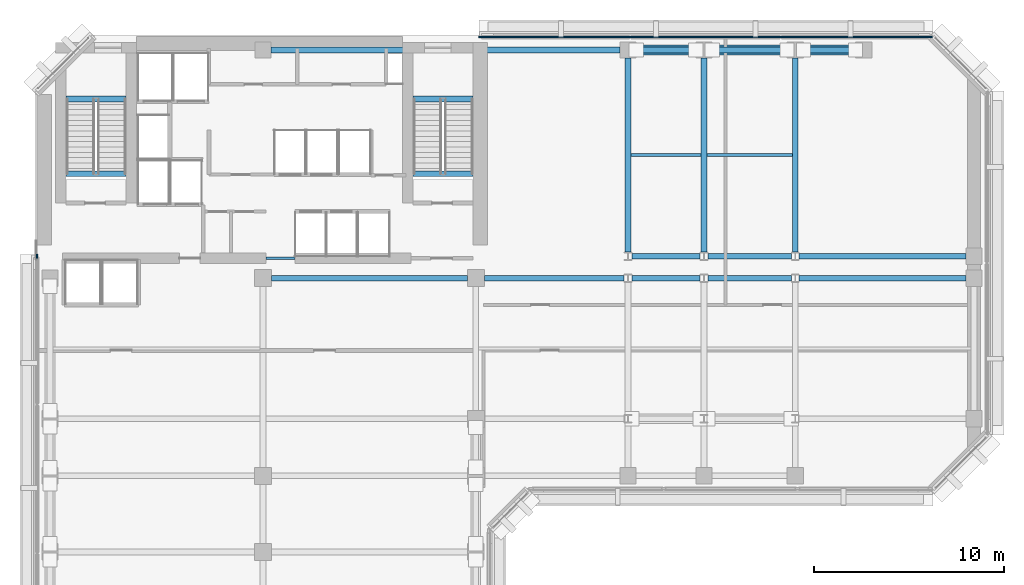
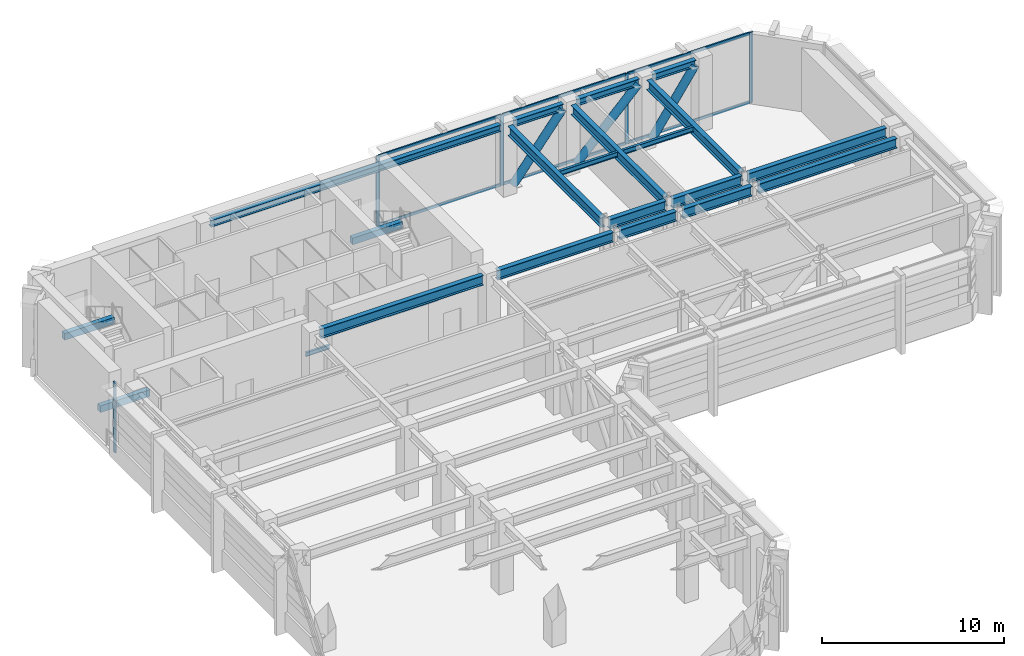
# One storey, part 4 of 12: 22 beams, 14 members, 2 elements without a shape of their own.
"""IFC4 building model written with IfcOpenShell, lengths in metres."""

from ifc_helpers import new_model, si_unit, direction, frame, origin, origin_2d, place, context, subcontext, project, spatial, rectangle, hollow_circle, i_section, extrude, material, layer, layer_set, material_profile, profile_set, type_object, element, aggregate, save


model = new_model("IFC4")

# Units and contexts
model_context = context("Model", 3, precision=1e-05, world=origin(), true_north=direction((0.0, 1.0)))
body_context = subcontext(model_context, "Body", "Model", "MODEL_VIEW")
ifc_project = project(units=[si_unit("LENGTHUNIT", "METRE"), si_unit("AREAUNIT", "SQUARE_METRE"), si_unit("VOLUMEUNIT", "CUBIC_METRE"), si_unit("PLANEANGLEUNIT", "RADIAN"), si_unit("MASSUNIT", "GRAM", prefix="KILO")], contexts=[model_context])

# Site, building, storey
site_placement = place(None, origin())
site = spatial("IfcSite", under=ifc_project, at=site_placement, CompositionType="ELEMENT")
building_placement = place(site_placement, origin())
building = spatial("IfcBuilding", under=site, at=building_placement, Name="Kefirva Bronze Tower", CompositionType="ELEMENT")
storey_placement = place(building_placement, frame((0.0, 0.0, 174.570068359375)))
storey = spatial("IfcBuildingStorey", under=building, at=storey_placement, Name="L42", CompositionType="ELEMENT", Elevation=174.570068359375)

# Curtain wall, members
ifc_material_1 = material(Name="Bronze anodised aluminium", Category="aluminium")
ifc_layer = layer(ifc_material_1, 0.219970703125, Name="Bronze anodised aluminium")
ifc_layer_set = layer_set([ifc_layer], Name="Bronze anodised aluminium")
curtain_wall_type = type_object("IfcCurtainWallType", Name="Refuge Acoustic Louvre Curtain Screen", PredefinedType="USERDEFINED", material=ifc_layer_set)
curtain_wall_1_placement = place(storey_placement, origin())
curtain_wall_1 = element("IfcCurtainWall", 1, at=curtain_wall_1_placement, inside=storey, type_object=curtain_wall_type, Name="L42 Curtain Wall 5", ObjectType="LOUVRE SCREEN WALL", PredefinedType="USERDEFINED")
ifc_material_profile_1 = material_profile(ifc_material_1, rectangle(XDim=0.090087890625, YDim=0.219970703125, at=origin_2d()), Name="ALU 90x220")
ifc_profile_set_1 = profile_set([ifc_material_profile_1], Name="Bronze anodised aluminium")
member_type_1 = type_object("IfcMemberType", Name="Bronze Mullion 90x220", PredefinedType="MULLION", material=ifc_profile_set_1)
member_1_placement = place(storey_placement, frame((47.10009765625, 45.8798828125, 0.0), z_axis=(0.0, 0.0, 1.0), x_axis=(0.0, -1.0, 0.0)))
member_1 = element("IfcMember", 2, at=member_1_placement, type_object=member_type_1, Name="CW-06 mullion 1", PredefinedType="MULLION", context=body_context, shape_type="SweptSolid", body=[
    extrude(rectangle(XDim=0.090087890625, YDim=0.219970703125, at=origin_2d()), origin(), (0.0, 0.0, 1.0), 4.699951171875),
])
member_2_placement = place(storey_placement, frame((39.231689453125, 45.8798828125, 0.0), z_axis=(0.0, 0.0, 1.0), x_axis=(0.0, -1.0, 0.0)))
member_2 = element("IfcMember", 3, at=member_2_placement, type_object=member_type_1, Name="CW-06 mullion 2", PredefinedType="MULLION", context=body_context, shape_type="SweptSolid", body=[
    extrude(rectangle(XDim=0.090087890625, YDim=0.219970703125, at=origin_2d()), origin(), (0.0, 0.0, 1.0), 4.699951171875),
])
member_3_placement = place(storey_placement, frame((31.318359375, 45.8798828125, 0.0), z_axis=(0.0, 0.0, 1.0), x_axis=(0.0, -1.0, 0.0)))
member_3 = element("IfcMember", 4, at=member_3_placement, type_object=member_type_1, Name="CW-06 mullion 3", PredefinedType="MULLION", context=body_context, shape_type="SweptSolid", body=[
    extrude(rectangle(XDim=0.090087890625, YDim=0.219970703125, at=origin_2d()), origin(), (0.0, 0.0, 1.0), 4.699951171875),
])
member_4_placement = place(storey_placement, frame((23.449951171875, 45.8798828125, 0.0), z_axis=(0.0, 0.0, 1.0), x_axis=(0.0, -1.0, 0.0)))
member_4 = element("IfcMember", 5, at=member_4_placement, type_object=member_type_1, Name="CW-06 mullion 4", PredefinedType="MULLION", context=body_context, shape_type="SweptSolid", body=[
    extrude(rectangle(XDim=0.090087890625, YDim=0.219970703125, at=origin_2d()), origin(), (0.0, 0.0, 1.0), 4.699951171875),
])

# Curtain wall, member
curtain_wall_2_placement = place(storey_placement, origin())
curtain_wall_2 = element("IfcCurtainWall", 6, at=curtain_wall_2_placement, inside=storey, type_object=curtain_wall_type, Name="L42 Curtain Wall 6", ObjectType="LOUVRE SCREEN WALL", PredefinedType="USERDEFINED")
member_5_placement = place(storey_placement, frame((0.1201171875, 34.35009765625, 0.0), z_axis=(0.0, 0.0, 1.0), x_axis=(1.0, 0.0, 0.0)))
member_5 = element("IfcMember", 7, at=member_5_placement, type_object=member_type_1, Name="CW-06 mullion 1", PredefinedType="MULLION", context=body_context, shape_type="SweptSolid", body=[
    extrude(rectangle(XDim=0.090087890625, YDim=0.219970703125, at=origin_2d()), origin(), (0.0, 0.0, 1.0), 4.699951171875),
])
aggregate(curtain_wall_2, [member_5])

# Member
ifc_material_profile_2 = material_profile(ifc_material_1, rectangle(XDim=0.090087890625, YDim=0.179931640625, at=origin_2d()), Name="ALU 90x180")
ifc_profile_set_2 = profile_set([ifc_material_profile_2], Name="Bronze anodised aluminium")
member_type_2 = type_object("IfcMemberType", Name="Bronze Transom 90x180", PredefinedType="USERDEFINED", material=ifc_profile_set_2)
member_6_placement = place(storey_placement, frame((47.054931640625, 45.8798828125, 0.044921875), z_axis=(-1.0, 0.0, 0.0), x_axis=(0.0, -1.0, 0.0)))
member_6 = element("IfcMember", 8, at=member_6_placement, type_object=member_type_2, Name="CW-06 transom 1.1", ObjectType="TRANSOM", PredefinedType="USERDEFINED", context=body_context, shape_type="SweptSolid", body=[
    extrude(rectangle(XDim=0.090087890625, YDim=0.179931640625, at=origin_2d()), origin(), (0.0, 0.0, 1.0), 7.7783203125),
])

member_7_placement = place(storey_placement, frame((47.054931640625, 45.8798828125, 4.655029296875), z_axis=(-1.0, 0.0, 0.0), x_axis=(0.0, -1.0, 0.0)))
member_7 = element("IfcMember", 9, at=member_7_placement, type_object=member_type_2, Name="CW-06 transom 1.2", ObjectType="TRANSOM", PredefinedType="USERDEFINED", context=body_context, shape_type="SweptSolid", body=[
    extrude(rectangle(XDim=0.090087890625, YDim=0.179931640625, at=origin_2d()), origin(), (0.0, 0.0, 1.0), 7.7783203125),
])

member_8_placement = place(storey_placement, frame((39.186767578125, 45.8798828125, 0.044921875), z_axis=(-1.0, 0.0, 0.0), x_axis=(0.0, -1.0, 0.0)))
member_8 = element("IfcMember", 10, at=member_8_placement, type_object=member_type_2, Name="CW-06 transom 2.1", ObjectType="TRANSOM", PredefinedType="USERDEFINED", context=body_context, shape_type="SweptSolid", body=[
    extrude(rectangle(XDim=0.090087890625, YDim=0.179931640625, at=origin_2d()), origin(), (0.0, 0.0, 1.0), 7.823486328125),
])

member_9_placement = place(storey_placement, frame((39.186767578125, 45.8798828125, 4.655029296875), z_axis=(-1.0, 0.0, 0.0), x_axis=(0.0, -1.0, 0.0)))
member_9 = element("IfcMember", 11, at=member_9_placement, type_object=member_type_2, Name="CW-06 transom 2.2", ObjectType="TRANSOM", PredefinedType="USERDEFINED", context=body_context, shape_type="SweptSolid", body=[
    extrude(rectangle(XDim=0.090087890625, YDim=0.179931640625, at=origin_2d()), origin(), (0.0, 0.0, 1.0), 7.823486328125),
])

member_10_placement = place(storey_placement, frame((31.2734375, 45.8798828125, 0.044921875), z_axis=(-1.0, 0.0, 0.0), x_axis=(0.0, -1.0, 0.0)))
member_10 = element("IfcMember", 12, at=member_10_placement, type_object=member_type_2, Name="CW-06 transom 3.1", ObjectType="TRANSOM", PredefinedType="USERDEFINED", context=body_context, shape_type="SweptSolid", body=[
    extrude(rectangle(XDim=0.090087890625, YDim=0.179931640625, at=origin_2d()), origin(), (0.0, 0.0, 1.0), 7.7783203125),
])

member_11_placement = place(storey_placement, frame((31.2734375, 45.8798828125, 4.655029296875), z_axis=(-1.0, 0.0, 0.0), x_axis=(0.0, -1.0, 0.0)))
member_11 = element("IfcMember", 13, at=member_11_placement, type_object=member_type_2, Name="CW-06 transom 3.2", ObjectType="TRANSOM", PredefinedType="USERDEFINED", context=body_context, shape_type="SweptSolid", body=[
    extrude(rectangle(XDim=0.090087890625, YDim=0.179931640625, at=origin_2d()), origin(), (0.0, 0.0, 1.0), 7.7783203125),
])

aggregate(curtain_wall_1, [member_1, member_2, member_3, member_4, member_6, member_7, member_8, member_9, member_10, member_11])

# Beams
ifc_material_2 = material(Name="Concrete C50/60", Category="concrete")
ifc_material_profile_3 = material_profile(ifc_material_2, rectangle(XDim=0.300048828125, YDim=0.449951171875, at=origin_2d()), Name="RC 300x450")
ifc_profile_set_3 = profile_set([ifc_material_profile_3], Name="Concrete C50/60")
beam_type_1 = type_object("IfcBeamType", Name="RC Stair Trimmer Beam 300x450", PredefinedType="BEAM", material=ifc_profile_set_3)
for number, where, z_axis, x_axis, name in (
    (14, (1.64501953125, 38.699951171875, -0.22509765625), (1.0, 0.0, 0.0), (0.0, 1.0, 0.0), "L42 Stair 1 Landing Trimmer Beam"),
    (15, (1.64501953125, 42.6201171875, 2.25), (1.0, 0.0, 0.0), (0.0, 1.0, 0.0), "L42 Stair 1 Half-Landing Trimmer Beam"),
):
    element("IfcBeam", number, at=place(storey_placement, frame(where, z_axis=z_axis, x_axis=x_axis)), inside=storey, type_object=beam_type_1, Name=name, PredefinedType="BEAM", context=body_context, shape_type="SweptSolid", body=[
        extrude(rectangle(XDim=0.300048828125, YDim=0.449951171875, at=origin_2d()), origin(), (0.0, 0.0, 1.0), 3.14990234375),
    ])
for number, where, z_axis, x_axis, name in (
    (16, (19.89501953125, 38.699951171875, -0.22509765625), (1.0, 0.0, 0.0), (0.0, 1.0, 0.0), "L42 Stair 2 Landing Trimmer Beam"),
    (17, (19.89501953125, 42.6201171875, 2.25), (1.0, 0.0, 0.0), (0.0, 1.0, 0.0), "L42 Stair 2 Half-Landing Trimmer Beam"),
):
    element("IfcBeam", number, at=place(storey_placement, frame(where, z_axis=z_axis, x_axis=x_axis)), inside=storey, type_object=beam_type_1, Name=name, PredefinedType="BEAM", context=body_context, shape_type="SweptSolid", body=[
        extrude(rectangle(XDim=0.300048828125, YDim=0.449951171875, at=origin_2d()), origin(), (0.0, 0.0, 1.0), 3.159912109375),
    ])

# Members
ifc_material_3 = material(Name="Steel S460", Category="steel")
ifc_material_profile_4 = material_profile(ifc_material_3, hollow_circle(Radius=0.25390625, WallThickness=0.02001953125, at=origin_2d()), Name="CHS 508x20")
ifc_profile_set_4 = profile_set([ifc_material_profile_4], Name="Steel S460")
member_type_3 = type_object("IfcMemberType", Name="Steel Belt Brace CHS 508x20", PredefinedType="BRACE", material=ifc_profile_set_4)
member_12_placement = place(storey_placement, frame((31.6298828125, 45.199951171875, 0.300048828125), z_axis=(0.617490735498, 0.0, 0.786578153507), x_axis=(0.0, 1.0, 0.0)))
element("IfcMember", 18, at=member_12_placement, inside=storey, type_object=member_type_3, Name="L42 Outrigger Belt Brace 10", PredefinedType="BRACE", context=body_context, shape_type="SweptSolid", body=[
    extrude(hollow_circle(Radius=0.25390625, WallThickness=0.02001953125, at=origin_2d()), origin(), (0.0, 0.0, 1.0), 5.085205078125),
])
member_13_placement = place(storey_placement, frame((35.6298828125, 45.199951171875, 0.300048828125), z_axis=(0.701760142119, 0.0, 0.712413295029), x_axis=(0.0, 1.0, 0.0)))
element("IfcMember", 19, at=member_13_placement, inside=storey, type_object=member_type_3, Name="L42 Outrigger Belt Brace 11", PredefinedType="BRACE", context=body_context, shape_type="SweptSolid", body=[
    extrude(hollow_circle(Radius=0.25390625, WallThickness=0.02001953125, at=origin_2d()), origin(), (0.0, 0.0, 1.0), 5.61474609375),
])
member_14_placement = place(storey_placement, frame((40.429931640625, 45.199951171875, 0.300048828125), z_axis=(0.565126097115, 0.0, 0.825004542024), x_axis=(0.0, 1.0, 0.0)))
element("IfcMember", 20, at=member_14_placement, inside=storey, type_object=member_type_3, Name="L42 Outrigger Belt Brace 12", PredefinedType="BRACE", context=body_context, shape_type="SweptSolid", body=[
    extrude(hollow_circle(Radius=0.25390625, WallThickness=0.02001953125, at=origin_2d()), origin(), (0.0, 0.0, 1.0), 4.848388671875),
])

# Beams
ifc_material_4 = material(Name="Steel S355", Category="steel")
ifc_material_profile_5 = material_profile(ifc_material_4, i_section(OverallWidth=0.159912109375, OverallDepth=0.330078125, WebThickness=0.007568359375, FlangeThickness=0.011474609375, at=origin_2d()), Name="IPE 330")
ifc_profile_set_5 = profile_set([ifc_material_profile_5], Name="Steel S355")
beam_type_2 = type_object("IfcBeamType", Name="Steel Floor Joist IPE 330", PredefinedType="JOIST", material=ifc_profile_set_5)
beam_1_placement = place(storey_placement, frame((31.35009765625, 39.673583984375, 4.534912109375), z_axis=(1.0, 0.0, 0.0), x_axis=(0.0, 1.0, 0.0)))
element("IfcBeam", 21, at=beam_1_placement, inside=storey, type_object=beam_type_2, Name="L42 JST-L42-31-396", PredefinedType="JOIST", context=body_context, shape_type="SweptSolid", body=[
    extrude(i_section(OverallWidth=0.159912109375, OverallDepth=0.330078125, WebThickness=0.007568359375, FlangeThickness=0.011474609375, at=origin_2d()), origin(), (0.0, 0.0, 1.0), 3.699951171875),
])
beam_2_placement = place(storey_placement, frame((35.35009765625, 39.673583984375, 4.534912109375), z_axis=(1.0, 0.0, 0.0), x_axis=(0.0, 1.0, 0.0)))
element("IfcBeam", 22, at=beam_2_placement, inside=storey, type_object=beam_type_2, Name="L42 JST-L42-35-396", PredefinedType="JOIST", context=body_context, shape_type="SweptSolid", body=[
    extrude(i_section(OverallWidth=0.159912109375, OverallDepth=0.330078125, WebThickness=0.007568359375, FlangeThickness=0.011474609375, at=origin_2d()), origin(), (0.0, 0.0, 1.0), 4.5),
])
ifc_material_profile_6 = material_profile(ifc_material_4, i_section(OverallWidth=0.300048828125, OverallDepth=0.64990234375, WebThickness=0.01611328125, FlangeThickness=0.031005859375, at=origin_2d()), Name="HEB 650")
ifc_profile_set_6 = profile_set([ifc_material_profile_6], Name="Steel S355")
beam_type_3 = type_object("IfcBeamType", Name="Steel Girder HEB 650", PredefinedType="USERDEFINED", material=ifc_profile_set_6)
beam_3_placement = place(storey_placement, frame((12.449951171875, 33.199951171875, 4.375), z_axis=(1.0, 0.0, 0.0), x_axis=(0.0, 1.0, 0.0)))
element("IfcBeam", 23, at=beam_3_placement, inside=storey, type_object=beam_type_3, Name="L42 BM-L42-EW-12-332", ObjectType="GIRDER", PredefinedType="USERDEFINED", context=body_context, shape_type="SweptSolid", body=[
    extrude(i_section(OverallWidth=0.300048828125, OverallDepth=0.64990234375, WebThickness=0.01611328125, FlangeThickness=0.031005859375, at=origin_2d()), origin(), (0.0, 0.0, 1.0), 10.300048828125),
])
beam_4_placement = place(storey_placement, frame((23.64990234375, 33.199951171875, 4.375), z_axis=(1.0, 0.0, 0.0), x_axis=(0.0, 1.0, 0.0)))
element("IfcBeam", 24, at=beam_4_placement, inside=storey, type_object=beam_type_3, Name="L42 BM-L42-EW-23-332", ObjectType="GIRDER", PredefinedType="USERDEFINED", context=body_context, shape_type="SweptSolid", body=[
    extrude(i_section(OverallWidth=0.300048828125, OverallDepth=0.64990234375, WebThickness=0.01611328125, FlangeThickness=0.031005859375, at=origin_2d()), origin(), (0.0, 0.0, 1.0), 7.341064453125),
])
beam_5_placement = place(storey_placement, frame((31.408935546875, 33.199951171875, 4.375), z_axis=(1.0, 0.0, 0.0), x_axis=(0.0, 1.0, 0.0)))
element("IfcBeam", 25, at=beam_5_placement, inside=storey, type_object=beam_type_3, Name="L42 BM-L42-EW-31-332", ObjectType="GIRDER", PredefinedType="USERDEFINED", context=body_context, shape_type="SweptSolid", body=[
    extrude(i_section(OverallWidth=0.300048828125, OverallDepth=0.64990234375, WebThickness=0.01611328125, FlangeThickness=0.031005859375, at=origin_2d()), origin(), (0.0, 0.0, 1.0), 3.58203125),
])
beam_6_placement = place(storey_placement, frame((35.408935546875, 33.199951171875, 4.375), z_axis=(1.0, 0.0, 0.0), x_axis=(0.0, 1.0, 0.0)))
element("IfcBeam", 26, at=beam_6_placement, inside=storey, type_object=beam_type_3, Name="L42 BM-L42-EW-35-332", ObjectType="GIRDER", PredefinedType="USERDEFINED", context=body_context, shape_type="SweptSolid", body=[
    extrude(i_section(OverallWidth=0.300048828125, OverallDepth=0.64990234375, WebThickness=0.01611328125, FlangeThickness=0.031005859375, at=origin_2d()), origin(), (0.0, 0.0, 1.0), 4.382080078125),
])
beam_7_placement = place(storey_placement, frame((40.208984375, 33.199951171875, 4.375), z_axis=(1.0, 0.0, 0.0), x_axis=(0.0, 1.0, 0.0)))
element("IfcBeam", 27, at=beam_7_placement, inside=storey, type_object=beam_type_3, Name="L42 BM-L42-EW-40-332", ObjectType="GIRDER", PredefinedType="USERDEFINED", context=body_context, shape_type="SweptSolid", body=[
    extrude(i_section(OverallWidth=0.300048828125, OverallDepth=0.64990234375, WebThickness=0.01611328125, FlangeThickness=0.031005859375, at=origin_2d()), origin(), (0.0, 0.0, 1.0), 8.760986328125),
])
beam_8_placement = place(storey_placement, frame((31.408935546875, 34.35009765625, 4.375), z_axis=(1.0, 0.0, 0.0), x_axis=(0.0, 1.0, 0.0)))
element("IfcBeam", 28, at=beam_8_placement, inside=storey, type_object=beam_type_3, Name="L42 BM-L42-EW-31-344", ObjectType="GIRDER", PredefinedType="USERDEFINED", context=body_context, shape_type="SweptSolid", body=[
    extrude(i_section(OverallWidth=0.300048828125, OverallDepth=0.64990234375, WebThickness=0.01611328125, FlangeThickness=0.031005859375, at=origin_2d()), origin(), (0.0, 0.0, 1.0), 3.58203125),
])
beam_9_placement = place(storey_placement, frame((35.408935546875, 34.35009765625, 4.375), z_axis=(1.0, 0.0, 0.0), x_axis=(0.0, 1.0, 0.0)))
element("IfcBeam", 29, at=beam_9_placement, inside=storey, type_object=beam_type_3, Name="L42 BM-L42-EW-35-344", ObjectType="GIRDER", PredefinedType="USERDEFINED", context=body_context, shape_type="SweptSolid", body=[
    extrude(i_section(OverallWidth=0.300048828125, OverallDepth=0.64990234375, WebThickness=0.01611328125, FlangeThickness=0.031005859375, at=origin_2d()), origin(), (0.0, 0.0, 1.0), 4.382080078125),
])
beam_10_placement = place(storey_placement, frame((40.208984375, 34.35009765625, 4.375), z_axis=(1.0, 0.0, 0.0), x_axis=(0.0, 1.0, 0.0)))
element("IfcBeam", 30, at=beam_10_placement, inside=storey, type_object=beam_type_3, Name="L42 BM-L42-EW-40-344", ObjectType="GIRDER", PredefinedType="USERDEFINED", context=body_context, shape_type="SweptSolid", body=[
    extrude(i_section(OverallWidth=0.300048828125, OverallDepth=0.64990234375, WebThickness=0.01611328125, FlangeThickness=0.031005859375, at=origin_2d()), origin(), (0.0, 0.0, 1.0), 8.760986328125),
])
for number, where, z_axis, x_axis, name in (
    (31, (31.199951171875, 34.577392578125, 4.375), (0.0, 1.0, 0.0), (-1.0, 0.0, 0.0), "L42 BM-L42-NS-312-34"),
    (32, (35.199951171875, 34.577392578125, 4.375), (0.0, 1.0, 0.0), (-1.0, 0.0, 0.0), "L42 BM-L42-NS-352-34"),
    (33, (40.0, 34.577392578125, 4.375), (0.0, 1.0, 0.0), (-1.0, 0.0, 0.0), "L42 BM-L42-NS-400-34"),
):
    element("IfcBeam", number, at=place(storey_placement, frame(where, z_axis=z_axis, x_axis=x_axis)), inside=storey, type_object=beam_type_3, Name=name, ObjectType="GIRDER", PredefinedType="USERDEFINED", context=body_context, shape_type="SweptSolid", body=[
        extrude(i_section(OverallWidth=0.300048828125, OverallDepth=0.64990234375, WebThickness=0.01611328125, FlangeThickness=0.031005859375, at=origin_2d()), origin(), (0.0, 0.0, 1.0), 10.192626953125),
    ])
ifc_material_profile_7 = material_profile(ifc_material_4, i_section(OverallWidth=0.135009765625, OverallDepth=0.27001953125, WebThickness=0.006591796875, FlangeThickness=0.01025390625, at=origin_2d()), Name="IPE 270")
ifc_profile_set_7 = profile_set([ifc_material_profile_7], Name="Steel S355")
beam_type_4 = type_object("IfcBeamType", Name="Steel Opening Lintel IPE 270", PredefinedType="LINTEL", material=ifc_profile_set_7)
beam_11_placement = place(storey_placement, frame((12.159912109375, 34.25, 2.39990234375), z_axis=(1.0, 0.0, 0.0), x_axis=(0.0, 1.0, 0.0)))
element("IfcBeam", 34, at=beam_11_placement, inside=storey, type_object=beam_type_4, Name="L42 Core Lobby Lintel", PredefinedType="LINTEL", context=body_context, shape_type="SweptSolid", body=[
    extrude(i_section(OverallWidth=0.135009765625, OverallDepth=0.27001953125, WebThickness=0.006591796875, FlangeThickness=0.01025390625, at=origin_2d()), origin(), (0.0, 0.0, 1.0), 1.52001953125),
])
ifc_material_profile_8 = material_profile(ifc_material_4, i_section(OverallWidth=0.300048828125, OverallDepth=0.449951171875, WebThickness=0.013916015625, FlangeThickness=0.02587890625, at=origin_2d()), Name="HEB 450")
ifc_profile_set_8 = profile_set([ifc_material_profile_8], Name="Steel S355")
beam_type_5 = type_object("IfcBeamType", Name="Steel Spandrel HEB 450 Ext", PredefinedType="SPANDREL", material=ifc_profile_set_8)
beam_12_placement = place(storey_placement, frame((12.429931640625, 45.199951171875, 4.474853515625), z_axis=(1.0, 0.0, 0.0), x_axis=(0.0, 1.0, 0.0)))
element("IfcBeam", 35, at=beam_12_placement, inside=storey, type_object=beam_type_5, Name="L42 BM-L42-EW-12-452", PredefinedType="SPANDREL", context=body_context, shape_type="SweptSolid", body=[
    extrude(i_section(OverallWidth=0.300048828125, OverallDepth=0.449951171875, WebThickness=0.013916015625, FlangeThickness=0.02587890625, at=origin_2d()), origin(), (0.0, 0.0, 1.0), 18.340087890625),
])
beam_13_placement = place(storey_placement, frame((31.6298828125, 45.199951171875, 4.474853515625), z_axis=(1.0, 0.0, 0.0), x_axis=(0.0, 1.0, 0.0)))
element("IfcBeam", 36, at=beam_13_placement, inside=storey, type_object=beam_type_5, Name="L42 BM-L42-EW-31-452", PredefinedType="SPANDREL", context=body_context, shape_type="SweptSolid", body=[
    extrude(i_section(OverallWidth=0.300048828125, OverallDepth=0.449951171875, WebThickness=0.013916015625, FlangeThickness=0.02587890625, at=origin_2d()), origin(), (0.0, 0.0, 1.0), 3.14013671875),
])
beam_14_placement = place(storey_placement, frame((35.6298828125, 45.199951171875, 4.474853515625), z_axis=(1.0, 0.0, 0.0), x_axis=(0.0, 1.0, 0.0)))
element("IfcBeam", 37, at=beam_14_placement, inside=storey, type_object=beam_type_5, Name="L42 BM-L42-EW-35-452", PredefinedType="SPANDREL", context=body_context, shape_type="SweptSolid", body=[
    extrude(i_section(OverallWidth=0.300048828125, OverallDepth=0.449951171875, WebThickness=0.013916015625, FlangeThickness=0.02587890625, at=origin_2d()), origin(), (0.0, 0.0, 1.0), 3.940185546875),
])
beam_15_placement = place(storey_placement, frame((40.429931640625, 45.199951171875, 4.474853515625), z_axis=(1.0, 0.0, 0.0), x_axis=(0.0, 1.0, 0.0)))
element("IfcBeam", 38, at=beam_15_placement, inside=storey, type_object=beam_type_5, Name="L42 BM-L42-EW-40-452", PredefinedType="SPANDREL", context=body_context, shape_type="SweptSolid", body=[
    extrude(i_section(OverallWidth=0.300048828125, OverallDepth=0.449951171875, WebThickness=0.013916015625, FlangeThickness=0.02587890625, at=origin_2d()), origin(), (0.0, 0.0, 1.0), 2.739990234375),
])

save(model, "model.ifc")
